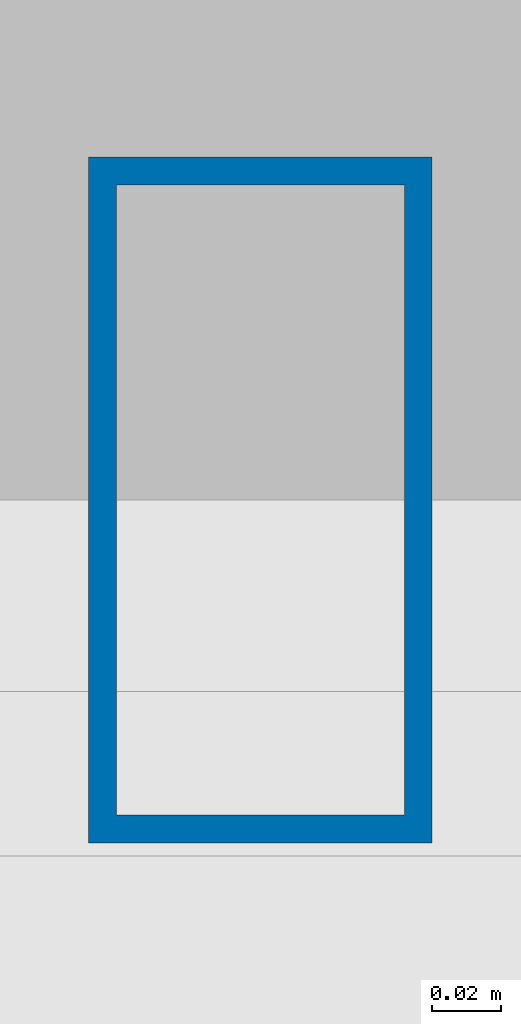
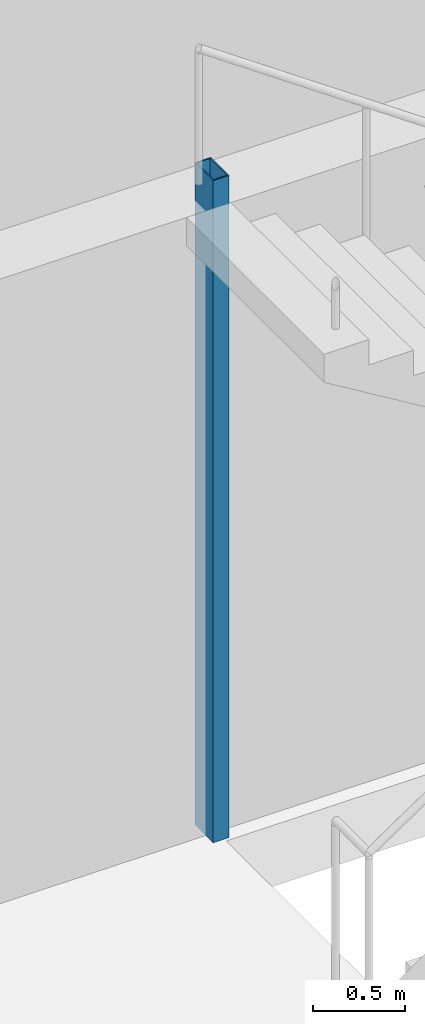
# One storey, part 2 of 19: 1 column.
"""IFC4 building model written with IfcOpenShell, lengths in metres."""

from ifc_helpers import new_model, si_unit, direction, frame, origin, origin_2d, place, context, subcontext, project, spatial, hollow_rectangle, extrude, material, material_profile, profile_set, type_object, element, save


model = new_model("IFC4")

# Units and contexts
model_context = context("Model", 3, precision=1e-05, world=origin(), true_north=direction((0.0, 1.0)))
body_context = subcontext(model_context, "Body", "Model", "MODEL_VIEW")
ifc_project = project(units=[si_unit("LENGTHUNIT", "METRE"), si_unit("AREAUNIT", "SQUARE_METRE"), si_unit("VOLUMEUNIT", "CUBIC_METRE"), si_unit("PLANEANGLEUNIT", "RADIAN"), si_unit("MASSUNIT", "GRAM", prefix="KILO")], contexts=[model_context])

# Site, building, storey
site_placement = place(None, origin())
site = spatial("IfcSite", under=ifc_project, at=site_placement, CompositionType="ELEMENT")
building_placement = place(site_placement, origin())
building = spatial("IfcBuilding", under=site, at=building_placement, Name="Menara Jurai Vektor", CompositionType="ELEMENT")
storey_placement = place(building_placement, frame((0.0, 0.0, 142.89990234375)))
storey = spatial("IfcBuildingStorey", under=building, at=storey_placement, Name="L36", CompositionType="ELEMENT", Elevation=142.89990234375)

# Column
ifc_material = material(Name="Steel S355", Category="steel")
ifc_material_profile = material_profile(ifc_material, hollow_rectangle(XDim=0.10009765625, YDim=0.199951171875, WallThickness=0.008056640625, at=origin_2d()), Name="RHS 200x100x8")
ifc_profile_set = profile_set([ifc_material_profile], Name="Steel S355")
column_type = type_object("IfcColumnType", Name="STR-COL-STAIR", PredefinedType="COLUMN", material=ifc_profile_set)
column_placement = place(storey_placement, frame((-11.1201171875, 5.419921875, 0.0), z_axis=(0.0, 0.0, 1.0), x_axis=(1.0, 0.0, 0.0)))
element("IfcColumn", 1, at=column_placement, inside=storey, type_object=column_type, Name="Stair Well Header Column ST1-P2 L36", PredefinedType="COLUMN", context=body_context, shape_type="SweptSolid", body=[
    extrude(hollow_rectangle(XDim=0.10009765625, YDim=0.199951171875, WallThickness=0.008056640625, at=origin_2d()), origin(), (0.0, 0.0, 1.0), 4.400146484375),
])

save(model, "model.ifc")
